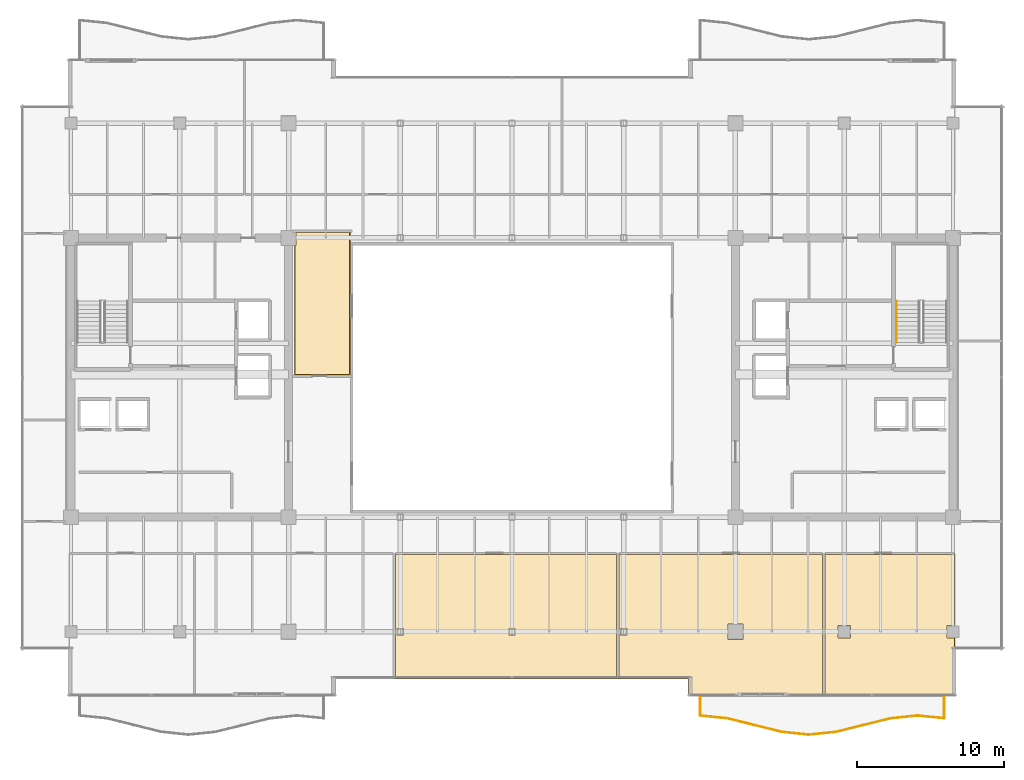
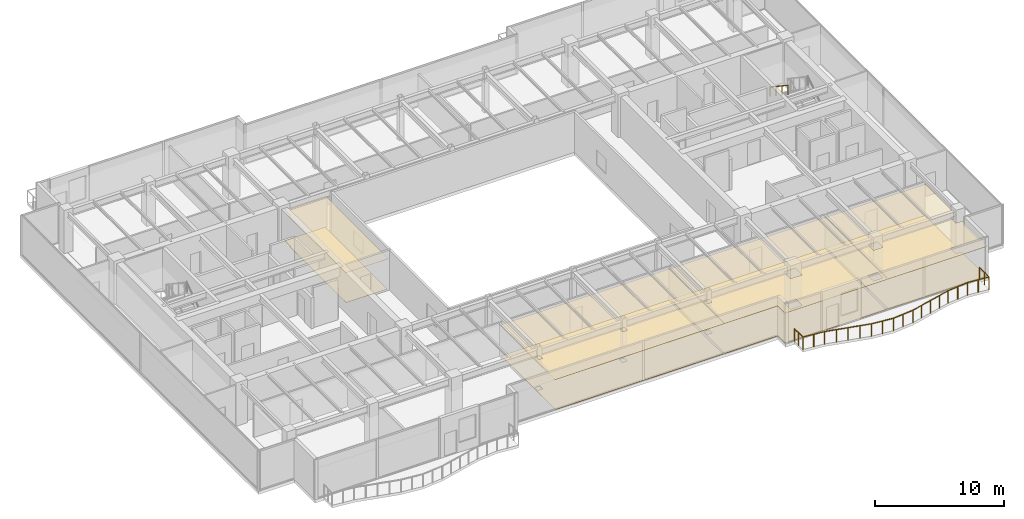
# One storey, part 33 of 35: 8 coverings, 2 railings.
"""IFC4 building model written with IfcOpenShell, lengths in metres."""

from ifc_helpers import new_model, si_unit, direction, frame, origin, origin_2d, place, context, subcontext, project, spatial, polyline, circle, outline, extrude, source, transform, mapped, material, layer, layer_set, type_object, type_shapes, element, save


model = new_model("IFC4")

# Units and contexts
model_context = context("Model", 3, precision=1e-05, world=origin(), true_north=direction((0.0, 1.0)))
body_context = subcontext(model_context, "Body", "Model", "MODEL_VIEW")
ifc_project = project(units=[si_unit("LENGTHUNIT", "METRE"), si_unit("AREAUNIT", "SQUARE_METRE"), si_unit("VOLUMEUNIT", "CUBIC_METRE"), si_unit("PLANEANGLEUNIT", "RADIAN"), si_unit("MASSUNIT", "GRAM", prefix="KILO")], contexts=[model_context])

# Site, building, storey
site_placement = place(None, origin())
site = spatial("IfcSite", under=ifc_project, at=site_placement, CompositionType="ELEMENT")
building_placement = place(site_placement, origin())
building = spatial("IfcBuilding", under=site, at=building_placement, Name="Haelvirn Gate Laboratories", CompositionType="ELEMENT")
storey_placement = place(building_placement, frame((0.0, 0.0, 283.39990234375)))
storey = spatial("IfcBuildingStorey", under=building, at=storey_placement, Name="L68", CompositionType="ELEMENT", Elevation=283.39990234375)

# Coverings
ifc_material_1 = material(Name="Micro-perforated acoustic mineral-fibre laboratory ceiling")
ifc_layer_1 = layer(ifc_material_1, 0.0400390625, Name="COV-CEIL-ACT")
ifc_layer_set_1 = layer_set([ifc_layer_1], Name="Micro-perforated acoustic mineral-fibre laboratory ceiling")
covering_type_1 = type_object("IfcCoveringType", Name="COV-CEIL-ACT", PredefinedType="CEILING", material=ifc_layer_set_1)
covering_1_placement = place(storey_placement, frame((0.0, 0.0, 2.880126953125)))
element("IfcCovering", 1, at=covering_1_placement, inside=storey, type_object=covering_type_1, Name="L68 Laboratory Acoustic Ceiling CEIL-SP-L68-WATRIUM-POD", PredefinedType="CEILING", context=body_context, shape_type="SweptSolid", body=[
    extrude(outline(polyline([(26.409912109375, 34.239990234375), (26.409912109375, 24.43994140625), (22.590087890625, 24.43994140625), (22.590087890625, 33.280029296875), (22.719970703125, 33.280029296875), (22.719970703125, 34.239990234375), (26.409912109375, 34.239990234375)])), origin(), (0.0, 0.0, 1.0), 0.0400390625),
])
covering_2_placement = place(storey_placement, frame((0.0, 0.0, 2.880126953125)))
element("IfcCovering", 2, at=covering_2_placement, inside=storey, type_object=covering_type_1, Name="L68 Laboratory Acoustic Ceiling CEIL-SP-L68-S-03", PredefinedType="CEILING", context=body_context, shape_type="SweptSolid", body=[
    extrude(outline(polyline([(44.580078125, 12.330078125), (44.580078125, 3.780029296875), (29.419921875, 3.780029296875), (29.419921875, 12.330078125), (44.580078125, 12.330078125)]), holes=[polyline([(29.580078125, 7.219970703125), (29.580078125, 6.780029296875), (30.02001953125, 6.780029296875), (30.02001953125, 7.219970703125), (29.580078125, 7.219970703125)]), polyline([(37.6201171875, 7.219970703125), (37.179931640625, 7.219970703125), (37.179931640625, 6.780029296875), (37.6201171875, 6.780029296875), (37.6201171875, 7.219970703125)])]), origin(), (0.0, 0.0, 1.0), 0.0400390625),
])
covering_3_placement = place(storey_placement, frame((0.0, 0.0, 2.880126953125)))
element("IfcCovering", 3, at=covering_3_placement, inside=storey, type_object=covering_type_1, Name="L68 Laboratory Acoustic Ceiling CEIL-SP-L68-S-04", PredefinedType="CEILING", context=body_context, shape_type="SweptSolid", body=[
    extrude(outline(polyline([(44.6201171875, 3.780029296875), (44.6201171875, 12.330078125), (58.580078125, 12.330078125), (58.580078125, 2.64990234375), (49.3798828125, 2.64990234375), (49.3798828125, 3.780029296875), (44.6201171875, 3.780029296875)]), holes=[polyline([(52.080078125, 7.52001953125), (52.080078125, 6.47998046875), (53.1201171875, 6.47998046875), (53.1201171875, 7.52001953125), (52.080078125, 7.52001953125)]), polyline([(45.219970703125, 7.219970703125), (44.780029296875, 7.219970703125), (44.780029296875, 6.780029296875), (45.219970703125, 6.780029296875), (45.219970703125, 7.219970703125)])]), origin(), (0.0, 0.0, 1.0), 0.0400390625),
])
covering_4_placement = place(storey_placement, frame((0.0, 0.0, 2.880126953125)))
element("IfcCovering", 4, at=covering_4_placement, inside=storey, type_object=covering_type_1, Name="L68 Laboratory Acoustic Ceiling CEIL-SP-L68-S-05", PredefinedType="CEILING", context=body_context, shape_type="SweptSolid", body=[
    extrude(outline(polyline([(67.550048828125, 2.64990234375), (58.6201171875, 2.64990234375), (58.6201171875, 12.330078125), (67.550048828125, 12.330078125), (67.550048828125, 7.419921875), (66.97998046875, 7.419921875), (66.97998046875, 6.580078125), (67.550048828125, 6.580078125), (67.550048828125, 2.64990234375)]), holes=[polyline([(59.580078125, 7.419921875), (59.580078125, 6.580078125), (60.419921875, 6.580078125), (60.419921875, 7.419921875), (59.580078125, 7.419921875)])]), origin(), (0.0, 0.0, 1.0), 0.0400390625),
])
ifc_material_2 = material(Name="Seamless chemical-resistant epoxy laboratory flooring")
ifc_layer_2 = layer(ifc_material_2, 0.01806640625, Name="COV-FLR-RESIN")
ifc_layer_set_2 = layer_set([ifc_layer_2], Name="Seamless chemical-resistant epoxy laboratory flooring")
covering_type_2 = type_object("IfcCoveringType", Name="COV-FLR-RESIN", PredefinedType="FLOORING", material=ifc_layer_set_2)
covering_5_placement = place(storey_placement, origin())
element("IfcCovering", 5, at=covering_5_placement, inside=storey, type_object=covering_type_2, Name="L68 Seamless Laboratory Flooring FLR-SP-L68-WATRIUM-POD", PredefinedType="FLOORING", context=body_context, shape_type="SweptSolid", body=[
    extrude(outline(polyline([(22.719970703125, 33.280029296875), (22.719970703125, 34.179931640625), (26.35009765625, 34.179931640625), (26.35009765625, 24.5), (22.64990234375, 24.5), (22.64990234375, 33.280029296875), (22.719970703125, 33.280029296875)])), origin(), (0.0, 0.0, 1.0), 0.01806640625),
])
covering_6_placement = place(storey_placement, origin())
element("IfcCovering", 6, at=covering_6_placement, inside=storey, type_object=covering_type_2, Name="L68 Seamless Laboratory Flooring FLR-SP-L68-S-03", PredefinedType="FLOORING", context=body_context, shape_type="SweptSolid", body=[
    extrude(outline(polyline([(29.47998046875, 3.840087890625), (29.47998046875, 12.27001953125), (44.52001953125, 12.27001953125), (44.52001953125, 3.840087890625), (29.47998046875, 3.840087890625)]), holes=[polyline([(29.580078125, 6.780029296875), (30.02001953125, 6.780029296875), (30.02001953125, 7.219970703125), (29.580078125, 7.219970703125), (29.580078125, 6.780029296875)]), polyline([(37.179931640625, 7.219970703125), (37.179931640625, 6.780029296875), (37.6201171875, 6.780029296875), (37.6201171875, 7.219970703125), (37.179931640625, 7.219970703125)])]), origin(), (0.0, 0.0, 1.0), 0.01806640625),
])
covering_7_placement = place(storey_placement, origin())
element("IfcCovering", 7, at=covering_7_placement, inside=storey, type_object=covering_type_2, Name="L68 Seamless Laboratory Flooring FLR-SP-L68-S-04", PredefinedType="FLOORING", context=body_context, shape_type="SweptSolid", body=[
    extrude(outline(polyline([(49.43994140625, 2.7099609375), (49.43994140625, 3.800048828125), (49.439697265625, 3.803955078125), (49.439208984375, 3.807861328125), (49.438232421875, 3.8115234375), (49.43701171875, 3.815185546875), (49.435302734375, 3.81884765625), (49.433349609375, 3.822265625), (49.430908203125, 3.825439453125), (49.42822265625, 3.828369140625), (49.42529296875, 3.830810546875), (49.422119140625, 3.833251953125), (49.4189453125, 3.835205078125), (49.415283203125, 3.8369140625), (49.41162109375, 3.83837890625), (49.40771484375, 3.839111328125), (49.40380859375, 3.83984375), (49.39990234375, 3.840087890625), (44.679931640625, 3.840087890625), (44.679931640625, 12.27001953125), (58.52001953125, 12.27001953125), (58.52001953125, 2.7099609375), (49.43994140625, 2.7099609375)]), holes=[polyline([(52.080078125, 6.47998046875), (53.1201171875, 6.47998046875), (53.1201171875, 7.52001953125), (52.080078125, 7.52001953125), (52.080078125, 6.47998046875)]), polyline([(44.780029296875, 7.219970703125), (44.780029296875, 6.780029296875), (45.219970703125, 6.780029296875), (45.219970703125, 7.219970703125), (44.780029296875, 7.219970703125)])]), origin(), (0.0, 0.0, 1.0), 0.01806640625),
])
covering_8_placement = place(storey_placement, origin())
element("IfcCovering", 8, at=covering_8_placement, inside=storey, type_object=covering_type_2, Name="L68 Seamless Laboratory Flooring FLR-SP-L68-S-05", PredefinedType="FLOORING", context=body_context, shape_type="SweptSolid", body=[
    extrude(outline(polyline([(67.489990234375, 7.419921875), (66.97998046875, 7.419921875), (66.97998046875, 6.580078125), (67.489990234375, 6.580078125), (67.489990234375, 2.7099609375), (58.679931640625, 2.7099609375), (58.679931640625, 12.27001953125), (67.489990234375, 12.27001953125), (67.489990234375, 7.419921875)]), holes=[polyline([(59.580078125, 6.580078125), (60.419921875, 6.580078125), (60.419921875, 7.419921875), (59.580078125, 7.419921875), (59.580078125, 6.580078125)])]), origin(), (0.0, 0.0, 1.0), 0.01806640625),
])

# Railings
ifc_material_3 = material(Name="Laminated safety glass & bronze stainless steel 316L", Category="steel")
railing_type_1 = type_object("IfcRailingType", Name="RLG-BAL-1200", PredefinedType="BALUSTRADE", material=ifc_material_3)
shared_shape_1 = source(origin(), body_context, "Body", "SweptSolid", [
    extrude(circle(Radius=0.02392578125, at=origin_2d()), frame((0.0, 0.0, 1.17578125), z_axis=(0.0, -1.0, 0.0), x_axis=(1.0, 0.0, 0.0)), (0.0, 0.0, 1.0), 1.300048828125),
    extrude(circle(Radius=0.02392578125, at=origin_2d()), frame((0.0, -1.300048828125, 1.17578125), z_axis=(0.994766350385, -0.102175868683, 0.0), x_axis=(0.102175868683, 0.994766350385, 0.0)), (0.0, 0.0, 1.0), 1.854248046875),
    extrude(circle(Radius=0.02392578125, at=origin_2d()), frame((1.844482421875, -1.489501953125, 1.17578125), z_axis=(0.970586725412, -0.240751756906, 0.0), x_axis=(0.240751756906, 0.970586725412, 0.0)), (0.0, 0.0, 1.0), 1.900390625),
    extrude(circle(Radius=0.02392578125, at=origin_2d()), frame((3.68896484375, -1.947021484375, 1.17578125), z_axis=(0.970346146153, -0.241719582668, 0.0), x_axis=(0.241719582668, 0.970346146153, 0.0)), (0.0, 0.0, 1.0), 1.90087890625),
    extrude(circle(Radius=0.02392578125, at=origin_2d()), frame((5.533447265625, -2.406494140625, 1.17578125), z_axis=(0.994536425701, -0.104390123836, 0.0), x_axis=(0.104390123836, 0.994536425701, 0.0)), (0.0, 0.0, 1.0), 1.854736328125),
    extrude(circle(Radius=0.02392578125, at=origin_2d()), frame((7.3779296875, -2.60009765625, 1.17578125), z_axis=(0.995003224647, 0.099842791141, 0.0), x_axis=(-0.099842791141, 0.995003224647, 0.0)), (0.0, 0.0, 1.0), 1.853515625),
    extrude(circle(Radius=0.02392578125, at=origin_2d()), frame((9.22216796875, -2.4150390625, 1.17578125), z_axis=(0.970796537576, 0.239904319742, 0.0), x_axis=(-0.239904319742, 0.970796537576, 0.0)), (0.0, 0.0, 1.0), 1.89990234375),
    extrude(circle(Radius=0.02392578125, at=origin_2d()), frame((11.066650390625, -1.959228515625, 1.17578125), z_axis=(0.970134946166, 0.242565838955, 0.0), x_axis=(-0.242565838955, 0.970134946166, 0.0)), (0.0, 0.0, 1.0), 1.9013671875),
    extrude(circle(Radius=0.02392578125, at=origin_2d()), frame((12.9111328125, -1.498046875, 1.17578125), z_axis=(0.994301683155, 0.106602827711, 0.0), x_axis=(-0.106602827711, 0.994301683155, 0.0)), (0.0, 0.0, 1.0), 1.85498046875),
    extrude(circle(Radius=0.02392578125, at=origin_2d()), frame((14.755615234375, -1.30029296875, 1.17578125), z_axis=(0.995250071858, -0.097351396837, 0.0), x_axis=(0.097351396837, 0.995250071858, 0.0)), (0.0, 0.0, 1.0), 1.853271484375),
    extrude(circle(Radius=0.02392578125, at=origin_2d()), frame((16.60009765625, -1.480712890625, 1.17578125), z_axis=(0.0, 1.0, 0.0), x_axis=(-1.0, 0.0, 0.0)), (0.0, 0.0, 1.0), 1.480712890625),
    extrude(circle(Radius=0.02099609375, at=origin_2d()), origin(), (0.0, 0.0, 1.0), 1.15185546875),
    extrude(circle(Radius=0.02099609375, at=origin_2d()), frame((0.0, -0.64990234375, 0.0)), (0.0, 0.0, 1.0), 1.15185546875),
    extrude(circle(Radius=0.02099609375, at=origin_2d()), frame((0.0, -1.300048828125, 0.0)), (0.0, 0.0, 1.0), 1.15185546875),
    extrude(circle(Radius=0.02099609375, at=origin_2d()), frame((0.92236328125, -1.394775390625, 0.0)), (0.0, 0.0, 1.0), 1.15185546875),
    extrude(circle(Radius=0.02099609375, at=origin_2d()), frame((1.844482421875, -1.489501953125, 0.0)), (0.0, 0.0, 1.0), 1.15185546875),
    extrude(circle(Radius=0.02099609375, at=origin_2d()), frame((2.7666015625, -1.71826171875, 0.0)), (0.0, 0.0, 1.0), 1.15185546875),
    extrude(circle(Radius=0.02099609375, at=origin_2d()), frame((3.68896484375, -1.947021484375, 0.0)), (0.0, 0.0, 1.0), 1.15185546875),
    extrude(circle(Radius=0.02099609375, at=origin_2d()), frame((4.611328125, -2.1767578125, 0.0)), (0.0, 0.0, 1.0), 1.15185546875),
    extrude(circle(Radius=0.02099609375, at=origin_2d()), frame((5.533447265625, -2.406494140625, 0.0)), (0.0, 0.0, 1.0), 1.15185546875),
    extrude(circle(Radius=0.02099609375, at=origin_2d()), frame((6.45556640625, -2.50341796875, 0.0)), (0.0, 0.0, 1.0), 1.15185546875),
    extrude(circle(Radius=0.02099609375, at=origin_2d()), frame((7.3779296875, -2.60009765625, 0.0)), (0.0, 0.0, 1.0), 1.15185546875),
    extrude(circle(Radius=0.02099609375, at=origin_2d()), frame((8.300048828125, -2.507568359375, 0.0)), (0.0, 0.0, 1.0), 1.15185546875),
    extrude(circle(Radius=0.02099609375, at=origin_2d()), frame((9.22216796875, -2.4150390625, 0.0)), (0.0, 0.0, 1.0), 1.15185546875),
    extrude(circle(Radius=0.02099609375, at=origin_2d()), frame((10.14453125, -2.18701171875, 0.0)), (0.0, 0.0, 1.0), 1.15185546875),
    extrude(circle(Radius=0.02099609375, at=origin_2d()), frame((11.066650390625, -1.959228515625, 0.0)), (0.0, 0.0, 1.0), 1.15185546875),
    extrude(circle(Radius=0.02099609375, at=origin_2d()), frame((11.98876953125, -1.728515625, 0.0)), (0.0, 0.0, 1.0), 1.15185546875),
    extrude(circle(Radius=0.02099609375, at=origin_2d()), frame((12.9111328125, -1.498046875, 0.0)), (0.0, 0.0, 1.0), 1.15185546875),
    extrude(circle(Radius=0.02099609375, at=origin_2d()), frame((13.83349609375, -1.399169921875, 0.0)), (0.0, 0.0, 1.0), 1.15185546875),
    extrude(circle(Radius=0.02099609375, at=origin_2d()), frame((14.755615234375, -1.30029296875, 0.0)), (0.0, 0.0, 1.0), 1.15185546875),
    extrude(circle(Radius=0.02099609375, at=origin_2d()), frame((15.677734375, -1.390625, 0.0)), (0.0, 0.0, 1.0), 1.15185546875),
    extrude(circle(Radius=0.02099609375, at=origin_2d()), frame((16.60009765625, -1.480712890625, 0.0)), (0.0, 0.0, 1.0), 1.15185546875),
    extrude(circle(Radius=0.02099609375, at=origin_2d()), frame((16.60009765625, -0.740234375, 0.0)), (0.0, 0.0, 1.0), 1.15185546875),
    extrude(circle(Radius=0.02099609375, at=origin_2d()), frame((16.60009765625, 0.0, 0.0)), (0.0, 0.0, 1.0), 1.15185546875),
])
type_shapes(railing_type_1, [shared_shape_1])
railing_1_placement = place(storey_placement, frame((50.199951171875, 2.60009765625, 0.0)))
element("IfcRailing", 9, at=railing_1_placement, inside=storey, type_object=railing_type_1, Name="L68 Wave Balcony Balustrade EL-S", PredefinedType="BALUSTRADE", context=body_context, shape_type="MappedRepresentation", body=[
    mapped(shared_shape_1, transform((0.0, 0.0, 0.0), scale=1.0)),
])
ifc_material_4 = material(Name="Brushed stainless steel 316L", Category="steel")
railing_type_2 = type_object("IfcRailingType", Name="RL-HAND-920", PredefinedType="HANDRAIL", material=ifc_material_4)
shared_shape_2 = source(origin(), body_context, "Body", "SweptSolid", [
    extrude(circle(Radius=0.02392578125, at=origin_2d()), frame((0.0, 0.0, 0.8759765625), z_axis=(0.0, -0.832485552168, 0.554046753832), x_axis=(1.0, 0.0, 0.0)), (0.0, 0.0, 1.0), 3.363525390625),
    extrude(circle(Radius=0.02099609375, at=origin_2d()), origin(), (0.0, 0.0, 1.0), 0.851806640625),
    extrude(circle(Radius=0.02099609375, at=origin_2d()), frame((0.0, -0.933349609375, 0.62109375)), (0.0, 0.0, 1.0), 0.851806640625),
    extrude(circle(Radius=0.02099609375, at=origin_2d()), frame((0.0, -1.86669921875, 1.242431640625)), (0.0, 0.0, 1.0), 0.851806640625),
    extrude(circle(Radius=0.02099609375, at=origin_2d()), frame((0.0, -2.800048828125, 1.863525390625)), (0.0, 0.0, 1.0), 0.851806640625),
])
type_shapes(railing_type_2, [shared_shape_2])
railing_2_placement = place(storey_placement, frame((63.550048828125, 29.5, 2.236572265625)))
element("IfcRailing", 10, at=railing_2_placement, inside=storey, type_object=railing_type_2, Name="L68 ST2 stair handrail 2", PredefinedType="HANDRAIL", context=body_context, shape_type="MappedRepresentation", body=[
    mapped(shared_shape_2, transform((0.0, 0.0, 0.0), scale=1.0)),
])

save(model, "model.ifc")
